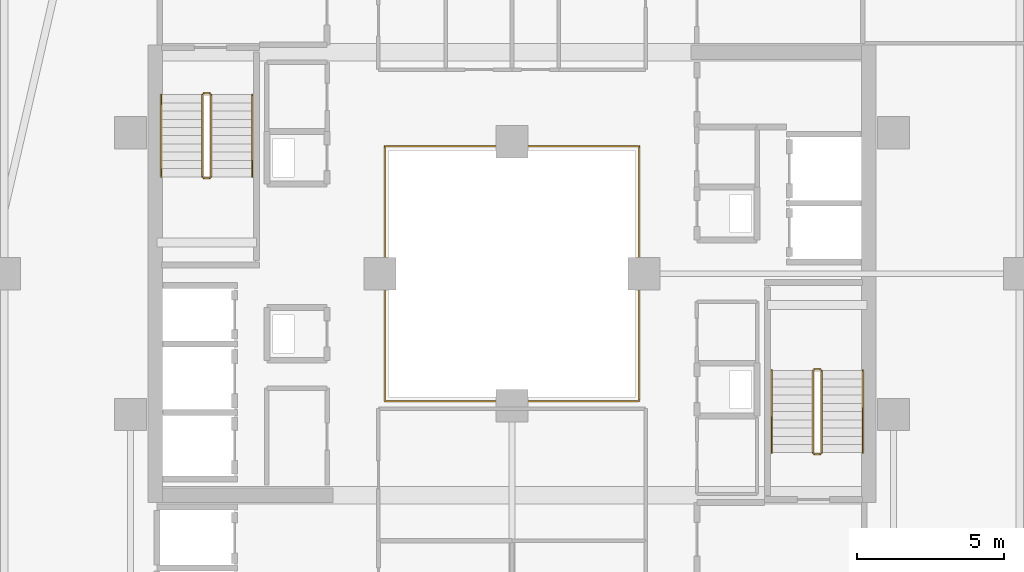
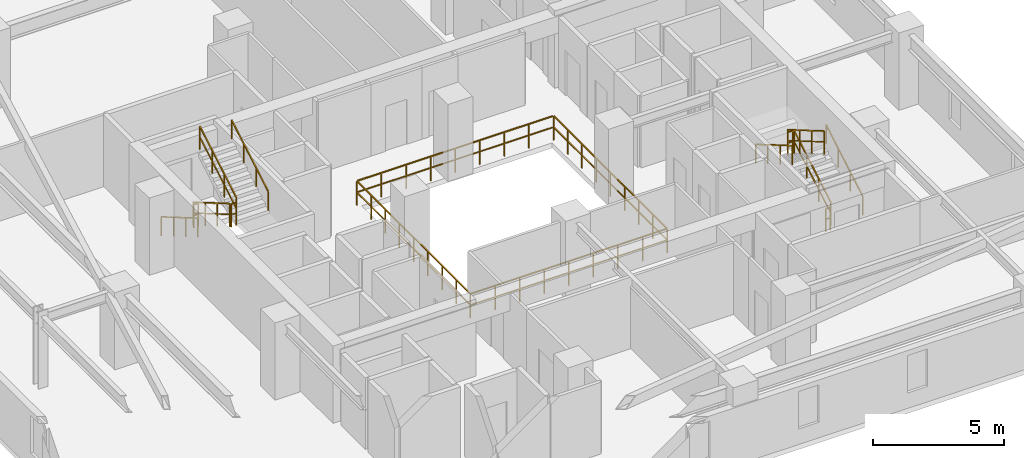
# One storey, part 32 of 33: 13 railings.
"""IFC4 building model written with IfcOpenShell, lengths in metres."""

from ifc_helpers import new_model, si_unit, direction, frame, origin, origin_2d, place, context, subcontext, project, spatial, rectangle, extrude, material, type_object, element, save


model = new_model("IFC4")

# Units and contexts
model_context = context("Model", 3, precision=1e-05, world=origin(), true_north=direction((0.0, 1.0)))
body_context = subcontext(model_context, "Body", "Model", "MODEL_VIEW")
ifc_project = project(units=[si_unit("LENGTHUNIT", "METRE"), si_unit("AREAUNIT", "SQUARE_METRE"), si_unit("VOLUMEUNIT", "CUBIC_METRE"), si_unit("PLANEANGLEUNIT", "RADIAN"), si_unit("MASSUNIT", "GRAM", prefix="KILO")], contexts=[model_context])

# Site, building, storey
site_placement = place(None, origin())
site = spatial("IfcSite", under=ifc_project, at=site_placement, CompositionType="ELEMENT")
building_placement = place(site_placement, origin())
building = spatial("IfcBuilding", under=site, at=building_placement, Name="Thornwick Lancets Civic Towers", CompositionType="ELEMENT")
storey_placement = place(building_placement, frame((0.0, 0.0, 189.300048828125)))
storey = spatial("IfcBuildingStorey", under=building, at=storey_placement, Name="L50", CompositionType="ELEMENT", Elevation=189.300048828125)

# Railings
ifc_material_1 = material(Name="Laminated glass and bronze steel S355", Category="steel")
railing_type_1 = type_object("IfcRailingType", Name="RAIL_ATRIUM_GUARD", PredefinedType="BALUSTRADE", material=ifc_material_1)
railing_1_placement = place(storey_placement, frame((84.159912109375, 22.659912109375, 0.0)))
element("IfcRailing", 1, at=railing_1_placement, inside=storey, type_object=railing_type_1, Name="L50 Tower B Central Atrium Guard Balustrade", PredefinedType="BALUSTRADE", context=body_context, shape_type="SweptSolid", body=[
    extrude(rectangle(XDim=0.048095703125, YDim=0.048095703125, at=origin_2d()), frame((0.0, 0.0, 1.1259765625), z_axis=(1.0, 0.0, 0.0), x_axis=(0.0, 1.0, 0.0)), (0.0, 0.0, 1.0), 8.64892578125),
    extrude(rectangle(XDim=0.0419921875, YDim=0.0419921875, at=origin_2d()), frame((0.03759765625, 0.0, 0.597900390625), z_axis=(1.0, 0.0, 0.0), x_axis=(0.0, 1.0, 0.0)), (0.0, 0.0, 1.0), 1.010009765625),
    extrude(rectangle(XDim=0.0419921875, YDim=0.0419921875, at=origin_2d()), frame((1.12255859375, 0.0, 0.597900390625), z_axis=(1.0, 0.0, 0.0), x_axis=(0.0, 1.0, 0.0)), (0.0, 0.0, 1.0), 1.010009765625),
    extrude(rectangle(XDim=0.0419921875, YDim=0.0419921875, at=origin_2d()), frame((2.20751953125, 0.0, 0.597900390625), z_axis=(1.0, 0.0, 0.0), x_axis=(0.0, 1.0, 0.0)), (0.0, 0.0, 1.0), 1.010009765625),
    extrude(rectangle(XDim=0.0419921875, YDim=0.0419921875, at=origin_2d()), frame((3.29248046875, 0.0, 0.597900390625), z_axis=(1.0, 0.0, 0.0), x_axis=(0.0, 1.0, 0.0)), (0.0, 0.0, 1.0), 1.010009765625),
    extrude(rectangle(XDim=0.0419921875, YDim=0.0419921875, at=origin_2d()), frame((4.377685546875, 0.0, 0.597900390625), z_axis=(1.0, 0.0, 0.0), x_axis=(0.0, 1.0, 0.0)), (0.0, 0.0, 1.0), 1.010009765625),
    extrude(rectangle(XDim=0.0419921875, YDim=0.0419921875, at=origin_2d()), frame((5.462646484375, 0.0, 0.597900390625), z_axis=(1.0, 0.0, 0.0), x_axis=(0.0, 1.0, 0.0)), (0.0, 0.0, 1.0), 1.010009765625),
    extrude(rectangle(XDim=0.0419921875, YDim=0.0419921875, at=origin_2d()), frame((6.547607421875, 0.0, 0.597900390625), z_axis=(1.0, 0.0, 0.0), x_axis=(0.0, 1.0, 0.0)), (0.0, 0.0, 1.0), 1.010009765625),
    extrude(rectangle(XDim=0.0419921875, YDim=0.0419921875, at=origin_2d()), frame((7.632568359375, 0.0, 0.597900390625), z_axis=(1.0, 0.0, 0.0), x_axis=(0.0, 1.0, 0.0)), (0.0, 0.0, 1.0), 1.010009765625),
    extrude(rectangle(XDim=0.048095703125, YDim=0.048095703125, at=origin_2d()), frame((8.68017578125, 0.03125, 1.1259765625), z_axis=(0.0, 1.0, 0.0), x_axis=(-1.0, 0.0, 0.0)), (0.0, 0.0, 1.0), 8.61767578125),
    extrude(rectangle(XDim=0.0419921875, YDim=0.0419921875, at=origin_2d()), frame((8.68017578125, 0.03759765625, 0.597900390625), z_axis=(0.0, 1.0, 0.0), x_axis=(-1.0, 0.0, 0.0)), (0.0, 0.0, 1.0), 1.010009765625),
    extrude(rectangle(XDim=0.0419921875, YDim=0.0419921875, at=origin_2d()), frame((8.68017578125, 1.12255859375, 0.597900390625), z_axis=(0.0, 1.0, 0.0), x_axis=(-1.0, 0.0, 0.0)), (0.0, 0.0, 1.0), 1.010009765625),
    extrude(rectangle(XDim=0.0419921875, YDim=0.0419921875, at=origin_2d()), frame((8.68017578125, 2.20751953125, 0.597900390625), z_axis=(0.0, 1.0, 0.0), x_axis=(-1.0, 0.0, 0.0)), (0.0, 0.0, 1.0), 1.010009765625),
    extrude(rectangle(XDim=0.0419921875, YDim=0.0419921875, at=origin_2d()), frame((8.68017578125, 3.29248046875, 0.597900390625), z_axis=(0.0, 1.0, 0.0), x_axis=(-1.0, 0.0, 0.0)), (0.0, 0.0, 1.0), 1.010009765625),
    extrude(rectangle(XDim=0.0419921875, YDim=0.0419921875, at=origin_2d()), frame((8.68017578125, 4.377685546875, 0.597900390625), z_axis=(0.0, 1.0, 0.0), x_axis=(-1.0, 0.0, 0.0)), (0.0, 0.0, 1.0), 1.010009765625),
    extrude(rectangle(XDim=0.0419921875, YDim=0.0419921875, at=origin_2d()), frame((8.68017578125, 5.462646484375, 0.597900390625), z_axis=(0.0, 1.0, 0.0), x_axis=(-1.0, 0.0, 0.0)), (0.0, 0.0, 1.0), 1.010009765625),
    extrude(rectangle(XDim=0.0419921875, YDim=0.0419921875, at=origin_2d()), frame((8.68017578125, 6.547607421875, 0.597900390625), z_axis=(0.0, 1.0, 0.0), x_axis=(-1.0, 0.0, 0.0)), (0.0, 0.0, 1.0), 1.010009765625),
    extrude(rectangle(XDim=0.0419921875, YDim=0.0419921875, at=origin_2d()), frame((8.68017578125, 7.632568359375, 0.597900390625), z_axis=(0.0, 1.0, 0.0), x_axis=(-1.0, 0.0, 0.0)), (0.0, 0.0, 1.0), 1.010009765625),
    extrude(rectangle(XDim=0.048095703125, YDim=0.048095703125, at=origin_2d()), frame((8.64892578125, 8.68017578125, 1.1259765625), z_axis=(-1.0, 0.0, 0.0), x_axis=(0.0, -1.0, 0.0)), (0.0, 0.0, 1.0), 8.61767578125),
    extrude(rectangle(XDim=0.0419921875, YDim=0.0419921875, at=origin_2d()), frame((8.642578125, 8.68017578125, 0.597900390625), z_axis=(-1.0, 0.0, 0.0), x_axis=(0.0, -1.0, 0.0)), (0.0, 0.0, 1.0), 1.010009765625),
    extrude(rectangle(XDim=0.0419921875, YDim=0.0419921875, at=origin_2d()), frame((7.5576171875, 8.68017578125, 0.597900390625), z_axis=(-1.0, 0.0, 0.0), x_axis=(0.0, -1.0, 0.0)), (0.0, 0.0, 1.0), 1.010009765625),
    extrude(rectangle(XDim=0.0419921875, YDim=0.0419921875, at=origin_2d()), frame((6.47265625, 8.68017578125, 0.597900390625), z_axis=(-1.0, 0.0, 0.0), x_axis=(0.0, -1.0, 0.0)), (0.0, 0.0, 1.0), 1.010009765625),
    extrude(rectangle(XDim=0.0419921875, YDim=0.0419921875, at=origin_2d()), frame((5.3876953125, 8.68017578125, 0.597900390625), z_axis=(-1.0, 0.0, 0.0), x_axis=(0.0, -1.0, 0.0)), (0.0, 0.0, 1.0), 1.010009765625),
    extrude(rectangle(XDim=0.0419921875, YDim=0.0419921875, at=origin_2d()), frame((4.302490234375, 8.68017578125, 0.597900390625), z_axis=(-1.0, 0.0, 0.0), x_axis=(0.0, -1.0, 0.0)), (0.0, 0.0, 1.0), 1.010009765625),
    extrude(rectangle(XDim=0.0419921875, YDim=0.0419921875, at=origin_2d()), frame((3.217529296875, 8.68017578125, 0.597900390625), z_axis=(-1.0, 0.0, 0.0), x_axis=(0.0, -1.0, 0.0)), (0.0, 0.0, 1.0), 1.010009765625),
    extrude(rectangle(XDim=0.0419921875, YDim=0.0419921875, at=origin_2d()), frame((2.132568359375, 8.68017578125, 0.597900390625), z_axis=(-1.0, 0.0, 0.0), x_axis=(0.0, -1.0, 0.0)), (0.0, 0.0, 1.0), 1.010009765625),
    extrude(rectangle(XDim=0.0419921875, YDim=0.0419921875, at=origin_2d()), frame((1.047607421875, 8.68017578125, 0.597900390625), z_axis=(-1.0, 0.0, 0.0), x_axis=(0.0, -1.0, 0.0)), (0.0, 0.0, 1.0), 1.010009765625),
    extrude(rectangle(XDim=0.048095703125, YDim=0.048095703125, at=origin_2d()), frame((0.0, 8.64892578125, 1.1259765625), z_axis=(0.0, -1.0, 0.0), x_axis=(1.0, 0.0, 0.0)), (0.0, 0.0, 1.0), 8.64892578125),
    extrude(rectangle(XDim=0.0419921875, YDim=0.0419921875, at=origin_2d()), frame((0.0, 8.642578125, 0.597900390625), z_axis=(0.0, -1.0, 0.0), x_axis=(1.0, 0.0, 0.0)), (0.0, 0.0, 1.0), 1.010009765625),
    extrude(rectangle(XDim=0.0419921875, YDim=0.0419921875, at=origin_2d()), frame((0.0, 7.5576171875, 0.597900390625), z_axis=(0.0, -1.0, 0.0), x_axis=(1.0, 0.0, 0.0)), (0.0, 0.0, 1.0), 1.010009765625),
    extrude(rectangle(XDim=0.0419921875, YDim=0.0419921875, at=origin_2d()), frame((0.0, 6.47265625, 0.597900390625), z_axis=(0.0, -1.0, 0.0), x_axis=(1.0, 0.0, 0.0)), (0.0, 0.0, 1.0), 1.010009765625),
    extrude(rectangle(XDim=0.0419921875, YDim=0.0419921875, at=origin_2d()), frame((0.0, 5.3876953125, 0.597900390625), z_axis=(0.0, -1.0, 0.0), x_axis=(1.0, 0.0, 0.0)), (0.0, 0.0, 1.0), 1.010009765625),
    extrude(rectangle(XDim=0.0419921875, YDim=0.0419921875, at=origin_2d()), frame((0.0, 4.302490234375, 0.597900390625), z_axis=(0.0, -1.0, 0.0), x_axis=(1.0, 0.0, 0.0)), (0.0, 0.0, 1.0), 1.010009765625),
    extrude(rectangle(XDim=0.0419921875, YDim=0.0419921875, at=origin_2d()), frame((0.0, 3.217529296875, 0.597900390625), z_axis=(0.0, -1.0, 0.0), x_axis=(1.0, 0.0, 0.0)), (0.0, 0.0, 1.0), 1.010009765625),
    extrude(rectangle(XDim=0.0419921875, YDim=0.0419921875, at=origin_2d()), frame((0.0, 2.132568359375, 0.597900390625), z_axis=(0.0, -1.0, 0.0), x_axis=(1.0, 0.0, 0.0)), (0.0, 0.0, 1.0), 1.010009765625),
    extrude(rectangle(XDim=0.0419921875, YDim=0.0419921875, at=origin_2d()), frame((0.0, 1.047607421875, 0.597900390625), z_axis=(0.0, -1.0, 0.0), x_axis=(1.0, 0.0, 0.0)), (0.0, 0.0, 1.0), 1.010009765625),
    extrude(rectangle(XDim=0.0419921875, YDim=0.0419921875, at=origin_2d()), origin(), (0.0, 0.0, 1.0), 1.095703125),
    extrude(rectangle(XDim=0.0419921875, YDim=0.0419921875, at=origin_2d()), frame((1.0849609375, 0.0, 0.0)), (0.0, 0.0, 1.0), 1.095703125),
    extrude(rectangle(XDim=0.0419921875, YDim=0.0419921875, at=origin_2d()), frame((2.169921875, 0.0, 0.0)), (0.0, 0.0, 1.0), 1.095703125),
    extrude(rectangle(XDim=0.0419921875, YDim=0.0419921875, at=origin_2d()), frame((3.255126953125, 0.0, 0.0)), (0.0, 0.0, 1.0), 1.095703125),
    extrude(rectangle(XDim=0.0419921875, YDim=0.0419921875, at=origin_2d()), frame((4.340087890625, 0.0, 0.0)), (0.0, 0.0, 1.0), 1.095703125),
    extrude(rectangle(XDim=0.0419921875, YDim=0.0419921875, at=origin_2d()), frame((5.425048828125, 0.0, 0.0)), (0.0, 0.0, 1.0), 1.095703125),
    extrude(rectangle(XDim=0.0419921875, YDim=0.0419921875, at=origin_2d()), frame((6.51025390625, 0.0, 0.0)), (0.0, 0.0, 1.0), 1.095703125),
    extrude(rectangle(XDim=0.0419921875, YDim=0.0419921875, at=origin_2d()), frame((7.59521484375, 0.0, 0.0)), (0.0, 0.0, 1.0), 1.095703125),
    extrude(rectangle(XDim=0.0419921875, YDim=0.0419921875, at=origin_2d()), frame((8.68017578125, 0.0, 0.0)), (0.0, 0.0, 1.0), 1.095703125),
    extrude(rectangle(XDim=0.0419921875, YDim=0.0419921875, at=origin_2d()), frame((8.68017578125, 1.0849609375, 0.0)), (0.0, 0.0, 1.0), 1.095703125),
    extrude(rectangle(XDim=0.0419921875, YDim=0.0419921875, at=origin_2d()), frame((8.68017578125, 2.169921875, 0.0)), (0.0, 0.0, 1.0), 1.095703125),
    extrude(rectangle(XDim=0.0419921875, YDim=0.0419921875, at=origin_2d()), frame((8.68017578125, 3.255126953125, 0.0)), (0.0, 0.0, 1.0), 1.095703125),
    extrude(rectangle(XDim=0.0419921875, YDim=0.0419921875, at=origin_2d()), frame((8.68017578125, 4.340087890625, 0.0)), (0.0, 0.0, 1.0), 1.095703125),
    extrude(rectangle(XDim=0.0419921875, YDim=0.0419921875, at=origin_2d()), frame((8.68017578125, 5.425048828125, 0.0)), (0.0, 0.0, 1.0), 1.095703125),
    extrude(rectangle(XDim=0.0419921875, YDim=0.0419921875, at=origin_2d()), frame((8.68017578125, 6.51025390625, 0.0)), (0.0, 0.0, 1.0), 1.095703125),
    extrude(rectangle(XDim=0.0419921875, YDim=0.0419921875, at=origin_2d()), frame((8.68017578125, 7.59521484375, 0.0)), (0.0, 0.0, 1.0), 1.095703125),
    extrude(rectangle(XDim=0.0419921875, YDim=0.0419921875, at=origin_2d()), frame((8.68017578125, 8.68017578125, 0.0)), (0.0, 0.0, 1.0), 1.095703125),
    extrude(rectangle(XDim=0.0419921875, YDim=0.0419921875, at=origin_2d()), frame((7.59521484375, 8.68017578125, 0.0)), (0.0, 0.0, 1.0), 1.095703125),
    extrude(rectangle(XDim=0.0419921875, YDim=0.0419921875, at=origin_2d()), frame((6.51025390625, 8.68017578125, 0.0)), (0.0, 0.0, 1.0), 1.095703125),
    extrude(rectangle(XDim=0.0419921875, YDim=0.0419921875, at=origin_2d()), frame((5.425048828125, 8.68017578125, 0.0)), (0.0, 0.0, 1.0), 1.095703125),
    extrude(rectangle(XDim=0.0419921875, YDim=0.0419921875, at=origin_2d()), frame((4.340087890625, 8.68017578125, 0.0)), (0.0, 0.0, 1.0), 1.095703125),
    extrude(rectangle(XDim=0.0419921875, YDim=0.0419921875, at=origin_2d()), frame((3.255126953125, 8.68017578125, 0.0)), (0.0, 0.0, 1.0), 1.095703125),
    extrude(rectangle(XDim=0.0419921875, YDim=0.0419921875, at=origin_2d()), frame((2.169921875, 8.68017578125, 0.0)), (0.0, 0.0, 1.0), 1.095703125),
    extrude(rectangle(XDim=0.0419921875, YDim=0.0419921875, at=origin_2d()), frame((1.0849609375, 8.68017578125, 0.0)), (0.0, 0.0, 1.0), 1.095703125),
    extrude(rectangle(XDim=0.0419921875, YDim=0.0419921875, at=origin_2d()), frame((0.0, 8.68017578125, 0.0)), (0.0, 0.0, 1.0), 1.095703125),
    extrude(rectangle(XDim=0.0419921875, YDim=0.0419921875, at=origin_2d()), frame((0.0, 7.59521484375, 0.0)), (0.0, 0.0, 1.0), 1.095703125),
    extrude(rectangle(XDim=0.0419921875, YDim=0.0419921875, at=origin_2d()), frame((0.0, 6.51025390625, 0.0)), (0.0, 0.0, 1.0), 1.095703125),
    extrude(rectangle(XDim=0.0419921875, YDim=0.0419921875, at=origin_2d()), frame((0.0, 5.425048828125, 0.0)), (0.0, 0.0, 1.0), 1.095703125),
    extrude(rectangle(XDim=0.0419921875, YDim=0.0419921875, at=origin_2d()), frame((0.0, 4.340087890625, 0.0)), (0.0, 0.0, 1.0), 1.095703125),
    extrude(rectangle(XDim=0.0419921875, YDim=0.0419921875, at=origin_2d()), frame((0.0, 3.255126953125, 0.0)), (0.0, 0.0, 1.0), 1.095703125),
    extrude(rectangle(XDim=0.0419921875, YDim=0.0419921875, at=origin_2d()), frame((0.0, 2.169921875, 0.0)), (0.0, 0.0, 1.0), 1.095703125),
    extrude(rectangle(XDim=0.0419921875, YDim=0.0419921875, at=origin_2d()), frame((0.0, 1.0849609375, 0.0)), (0.0, 0.0, 1.0), 1.095703125),
])
ifc_material_2 = material(Name="Brushed stainless steel S355", Category="steel")
railing_type_2 = type_object("IfcRailingType", Name="RAIL_HANDRAIL", PredefinedType="HANDRAIL", material=ifc_material_2)
railing_2_placement = place(storey_placement, frame((100.449951171875, 20.89990234375, 0.16357421875)))
element("IfcRailing", 2, at=railing_2_placement, inside=storey, type_object=railing_type_2, Name="L50 ST-B1 stair handrail 1", PredefinedType="HANDRAIL", context=body_context, shape_type="SweptSolid", body=[
    extrude(rectangle(XDim=0.048095703125, YDim=0.048095703125, at=origin_2d()), frame((0.0, 0.0, 0.8857421875), z_axis=(0.0, 0.863360870873, 0.504586966384), x_axis=(-1.0, 0.0, 0.0)), (0.0, 0.0, 1.0), 3.2431640625),
    extrude(rectangle(XDim=0.0419921875, YDim=0.0419921875, at=origin_2d()), origin(), (0.0, 0.0, 1.0), 0.855712890625),
    extrude(rectangle(XDim=0.0419921875, YDim=0.0419921875, at=origin_2d()), frame((0.0, 0.933349609375, 0.54541015625)), (0.0, 0.0, 1.0), 0.855712890625),
    extrude(rectangle(XDim=0.0419921875, YDim=0.0419921875, at=origin_2d()), frame((0.0, 1.86669921875, 1.091064453125)), (0.0, 0.0, 1.0), 0.855712890625),
    extrude(rectangle(XDim=0.0419921875, YDim=0.0419921875, at=origin_2d()), frame((0.0, 2.800048828125, 1.636474609375)), (0.0, 0.0, 1.0), 0.855712890625),
])
railing_3_placement = place(storey_placement, frame((97.35009765625, 23.699951171875, 1.963623046875)))
element("IfcRailing", 3, at=railing_3_placement, inside=storey, type_object=railing_type_2, Name="L50 ST-B1 stair handrail 2", PredefinedType="HANDRAIL", context=body_context, shape_type="SweptSolid", body=[
    extrude(rectangle(XDim=0.048095703125, YDim=0.048095703125, at=origin_2d()), frame((0.0, 0.0, 0.8857421875), z_axis=(0.0, -0.863393664356, 0.504530851732), x_axis=(1.0, 0.0, 0.0)), (0.0, 0.0, 1.0), 3.2431640625),
    extrude(rectangle(XDim=0.0419921875, YDim=0.0419921875, at=origin_2d()), origin(), (0.0, 0.0, 1.0), 0.855712890625),
    extrude(rectangle(XDim=0.0419921875, YDim=0.0419921875, at=origin_2d()), frame((0.0, -0.933349609375, 0.54541015625)), (0.0, 0.0, 1.0), 0.855712890625),
    extrude(rectangle(XDim=0.0419921875, YDim=0.0419921875, at=origin_2d()), frame((0.0, -1.86669921875, 1.0908203125)), (0.0, 0.0, 1.0), 0.855712890625),
    extrude(rectangle(XDim=0.0419921875, YDim=0.0419921875, at=origin_2d()), frame((0.0, -2.800048828125, 1.63623046875)), (0.0, 0.0, 1.0), 0.855712890625),
])
railing_4_placement = place(storey_placement, frame((76.550048828125, 33.10009765625, 0.16357421875)))
element("IfcRailing", 4, at=railing_4_placement, inside=storey, type_object=railing_type_2, Name="L50 ST-B2 stair handrail 1", PredefinedType="HANDRAIL", context=body_context, shape_type="SweptSolid", body=[
    extrude(rectangle(XDim=0.048095703125, YDim=0.048095703125, at=origin_2d()), frame((0.0, 0.0, 0.8857421875), z_axis=(0.0, -0.863360870873, 0.504586966384), x_axis=(1.0, 0.0, 0.0)), (0.0, 0.0, 1.0), 3.2431640625),
    extrude(rectangle(XDim=0.0419921875, YDim=0.0419921875, at=origin_2d()), origin(), (0.0, 0.0, 1.0), 0.855712890625),
    extrude(rectangle(XDim=0.0419921875, YDim=0.0419921875, at=origin_2d()), frame((0.0, -0.933349609375, 0.54541015625)), (0.0, 0.0, 1.0), 0.855712890625),
    extrude(rectangle(XDim=0.0419921875, YDim=0.0419921875, at=origin_2d()), frame((0.0, -1.86669921875, 1.091064453125)), (0.0, 0.0, 1.0), 0.855712890625),
    extrude(rectangle(XDim=0.0419921875, YDim=0.0419921875, at=origin_2d()), frame((0.0, -2.800048828125, 1.636474609375)), (0.0, 0.0, 1.0), 0.855712890625),
])
railing_5_placement = place(storey_placement, frame((79.64990234375, 30.300048828125, 1.963623046875)))
element("IfcRailing", 5, at=railing_5_placement, inside=storey, type_object=railing_type_2, Name="L50 ST-B2 stair handrail 2", PredefinedType="HANDRAIL", context=body_context, shape_type="SweptSolid", body=[
    extrude(rectangle(XDim=0.048095703125, YDim=0.048095703125, at=origin_2d()), frame((0.0, 0.0, 0.8857421875), z_axis=(0.0, 0.863393664356, 0.504530851732), x_axis=(-1.0, 0.0, 0.0)), (0.0, 0.0, 1.0), 3.2431640625),
    extrude(rectangle(XDim=0.0419921875, YDim=0.0419921875, at=origin_2d()), origin(), (0.0, 0.0, 1.0), 0.855712890625),
    extrude(rectangle(XDim=0.0419921875, YDim=0.0419921875, at=origin_2d()), frame((0.0, 0.933349609375, 0.54541015625)), (0.0, 0.0, 1.0), 0.855712890625),
    extrude(rectangle(XDim=0.0419921875, YDim=0.0419921875, at=origin_2d()), frame((0.0, 1.86669921875, 1.0908203125)), (0.0, 0.0, 1.0), 0.855712890625),
    extrude(rectangle(XDim=0.0419921875, YDim=0.0419921875, at=origin_2d()), frame((0.0, 2.800048828125, 1.63623046875)), (0.0, 0.0, 1.0), 0.855712890625),
])
ifc_material_3 = material(Name="Steel S355JR", Category="steel")
railing_type_3 = type_object("IfcRailingType", Name="RAIL_STAIR_GUARD", PredefinedType="GUARDRAIL", material=ifc_material_3)
railing_6_placement = place(storey_placement, frame((99.050048828125, 20.89990234375, 0.16357421875)))
element("IfcRailing", 6, at=railing_6_placement, inside=storey, type_object=railing_type_3, Name="L50 ST-B1 stair guard 1", PredefinedType="GUARDRAIL", context=body_context, shape_type="SweptSolid", body=[
    extrude(rectangle(XDim=0.048095703125, YDim=0.048095703125, at=origin_2d()), frame((0.0, 0.0, 1.076171875), z_axis=(0.0, 0.863360870873, 0.504586966384), x_axis=(-1.0, 0.0, 0.0)), (0.0, 0.0, 1.0), 3.2431640625),
    extrude(rectangle(XDim=0.0419921875, YDim=0.0419921875, at=origin_2d()), frame((0.0, 0.032470703125, 0.591064453125), z_axis=(0.0, 0.863360870873, 0.504586966384), x_axis=(-1.0, 0.0, 0.0)), (0.0, 0.0, 1.0), 1.006103515625),
    extrude(rectangle(XDim=0.0419921875, YDim=0.0419921875, at=origin_2d()), frame((0.0, 0.9658203125, 1.136474609375), z_axis=(0.0, 0.863360870873, 0.504586966384), x_axis=(-1.0, 0.0, 0.0)), (0.0, 0.0, 1.0), 1.006103515625),
    extrude(rectangle(XDim=0.0419921875, YDim=0.0419921875, at=origin_2d()), frame((0.0, 1.899169921875, 1.681884765625), z_axis=(0.0, 0.863360870873, 0.504586966384), x_axis=(-1.0, 0.0, 0.0)), (0.0, 0.0, 1.0), 1.006103515625),
    extrude(rectangle(XDim=0.0419921875, YDim=0.0419921875, at=origin_2d()), origin(), (0.0, 0.0, 1.0), 1.0458984375),
    extrude(rectangle(XDim=0.0419921875, YDim=0.0419921875, at=origin_2d()), frame((0.0, 0.933349609375, 0.54541015625)), (0.0, 0.0, 1.0), 1.0458984375),
    extrude(rectangle(XDim=0.0419921875, YDim=0.0419921875, at=origin_2d()), frame((0.0, 1.86669921875, 1.091064453125)), (0.0, 0.0, 1.0), 1.0458984375),
    extrude(rectangle(XDim=0.0419921875, YDim=0.0419921875, at=origin_2d()), frame((0.0, 2.800048828125, 1.636474609375)), (0.0, 0.0, 1.0), 1.0458984375),
])
railing_7_placement = place(storey_placement, frame((99.0, 23.75, 1.800048828125)))
element("IfcRailing", 7, at=railing_7_placement, inside=storey, type_object=railing_type_3, Name="L50 ST-B1 stair guard 2", PredefinedType="GUARDRAIL", context=body_context, shape_type="SweptSolid", body=[
    extrude(rectangle(XDim=0.048095703125, YDim=0.048095703125, at=origin_2d()), frame((0.0, 0.0, 1.076171875), z_axis=(-1.0, 0.0, 0.0), x_axis=(0.0, -1.0, 0.0)), (0.0, 0.0, 1.0), 0.199951171875),
    extrude(rectangle(XDim=0.0419921875, YDim=0.0419921875, at=origin_2d()), frame((-0.03759765625, 0.0, 0.572021484375), z_axis=(-1.0, 0.0, 0.0), x_axis=(0.0, -1.0, 0.0)), (0.0, 0.0, 1.0), 0.125),
    extrude(rectangle(XDim=0.0419921875, YDim=0.0419921875, at=origin_2d()), origin(), (0.0, 0.0, 1.0), 1.0458984375),
    extrude(rectangle(XDim=0.0419921875, YDim=0.0419921875, at=origin_2d()), frame((-0.199951171875, 0.0, 0.0)), (0.0, 0.0, 1.0), 1.0458984375),
])
railing_8_placement = place(storey_placement, frame((98.75, 23.699951171875, 1.963623046875)))
element("IfcRailing", 8, at=railing_8_placement, inside=storey, type_object=railing_type_3, Name="L50 ST-B1 stair guard 3", PredefinedType="GUARDRAIL", context=body_context, shape_type="SweptSolid", body=[
    extrude(rectangle(XDim=0.048095703125, YDim=0.048095703125, at=origin_2d()), frame((0.0, 0.0, 1.076171875), z_axis=(0.0, -0.863393664356, 0.504530851732), x_axis=(1.0, 0.0, 0.0)), (0.0, 0.0, 1.0), 3.2431640625),
    extrude(rectangle(XDim=0.0419921875, YDim=0.0419921875, at=origin_2d()), frame((0.0, -0.032470703125, 0.591064453125), z_axis=(0.0, -0.863393664356, 0.504530851732), x_axis=(1.0, 0.0, 0.0)), (0.0, 0.0, 1.0), 1.006103515625),
    extrude(rectangle(XDim=0.0419921875, YDim=0.0419921875, at=origin_2d()), frame((0.0, -0.9658203125, 1.136474609375), z_axis=(0.0, -0.863393664356, 0.504530851732), x_axis=(1.0, 0.0, 0.0)), (0.0, 0.0, 1.0), 1.006103515625),
    extrude(rectangle(XDim=0.0419921875, YDim=0.0419921875, at=origin_2d()), frame((0.0, -1.899169921875, 1.681884765625), z_axis=(0.0, -0.863393664356, 0.504530851732), x_axis=(1.0, 0.0, 0.0)), (0.0, 0.0, 1.0), 1.006103515625),
    extrude(rectangle(XDim=0.0419921875, YDim=0.0419921875, at=origin_2d()), origin(), (0.0, 0.0, 1.0), 1.0458984375),
    extrude(rectangle(XDim=0.0419921875, YDim=0.0419921875, at=origin_2d()), frame((0.0, -0.933349609375, 0.54541015625)), (0.0, 0.0, 1.0), 1.0458984375),
    extrude(rectangle(XDim=0.0419921875, YDim=0.0419921875, at=origin_2d()), frame((0.0, -1.86669921875, 1.0908203125)), (0.0, 0.0, 1.0), 1.0458984375),
    extrude(rectangle(XDim=0.0419921875, YDim=0.0419921875, at=origin_2d()), frame((0.0, -2.800048828125, 1.63623046875)), (0.0, 0.0, 1.0), 1.0458984375),
])
railing_9_placement = place(storey_placement, frame((99.0, 20.85009765625, 0.0)))
element("IfcRailing", 9, at=railing_9_placement, inside=storey, type_object=railing_type_3, Name="L50 ST-B1 stair guard 4", PredefinedType="GUARDRAIL", context=body_context, shape_type="SweptSolid", body=[
    extrude(rectangle(XDim=0.048095703125, YDim=0.048095703125, at=origin_2d()), frame((0.0, 0.0, 1.076171875), z_axis=(-1.0, 0.0, 0.0), x_axis=(0.0, -1.0, 0.0)), (0.0, 0.0, 1.0), 0.199951171875),
    extrude(rectangle(XDim=0.0419921875, YDim=0.0419921875, at=origin_2d()), frame((-0.03759765625, 0.0, 0.572021484375), z_axis=(-1.0, 0.0, 0.0), x_axis=(0.0, -1.0, 0.0)), (0.0, 0.0, 1.0), 0.125),
    extrude(rectangle(XDim=0.0419921875, YDim=0.0419921875, at=origin_2d()), origin(), (0.0, 0.0, 1.0), 1.0458984375),
    extrude(rectangle(XDim=0.0419921875, YDim=0.0419921875, at=origin_2d()), frame((-0.199951171875, 0.0, 0.0)), (0.0, 0.0, 1.0), 1.0458984375),
])
railing_10_placement = place(storey_placement, frame((77.949951171875, 33.10009765625, 0.16357421875)))
element("IfcRailing", 10, at=railing_10_placement, inside=storey, type_object=railing_type_3, Name="L50 ST-B2 stair guard 1", PredefinedType="GUARDRAIL", context=body_context, shape_type="SweptSolid", body=[
    extrude(rectangle(XDim=0.048095703125, YDim=0.048095703125, at=origin_2d()), frame((0.0, 0.0, 1.076171875), z_axis=(0.0, -0.863360870873, 0.504586966384), x_axis=(1.0, 0.0, 0.0)), (0.0, 0.0, 1.0), 3.2431640625),
    extrude(rectangle(XDim=0.0419921875, YDim=0.0419921875, at=origin_2d()), frame((0.0, -0.032470703125, 0.591064453125), z_axis=(0.0, -0.863360870873, 0.504586966384), x_axis=(1.0, 0.0, 0.0)), (0.0, 0.0, 1.0), 1.006103515625),
    extrude(rectangle(XDim=0.0419921875, YDim=0.0419921875, at=origin_2d()), frame((0.0, -0.9658203125, 1.136474609375), z_axis=(0.0, -0.863360870873, 0.504586966384), x_axis=(1.0, 0.0, 0.0)), (0.0, 0.0, 1.0), 1.006103515625),
    extrude(rectangle(XDim=0.0419921875, YDim=0.0419921875, at=origin_2d()), frame((0.0, -1.899169921875, 1.681884765625), z_axis=(0.0, -0.863360870873, 0.504586966384), x_axis=(1.0, 0.0, 0.0)), (0.0, 0.0, 1.0), 1.006103515625),
    extrude(rectangle(XDim=0.0419921875, YDim=0.0419921875, at=origin_2d()), origin(), (0.0, 0.0, 1.0), 1.0458984375),
    extrude(rectangle(XDim=0.0419921875, YDim=0.0419921875, at=origin_2d()), frame((0.0, -0.933349609375, 0.54541015625)), (0.0, 0.0, 1.0), 1.0458984375),
    extrude(rectangle(XDim=0.0419921875, YDim=0.0419921875, at=origin_2d()), frame((0.0, -1.86669921875, 1.091064453125)), (0.0, 0.0, 1.0), 1.0458984375),
    extrude(rectangle(XDim=0.0419921875, YDim=0.0419921875, at=origin_2d()), frame((0.0, -2.800048828125, 1.636474609375)), (0.0, 0.0, 1.0), 1.0458984375),
])
railing_11_placement = place(storey_placement, frame((78.0, 30.25, 1.800048828125)))
element("IfcRailing", 11, at=railing_11_placement, inside=storey, type_object=railing_type_3, Name="L50 ST-B2 stair guard 2", PredefinedType="GUARDRAIL", context=body_context, shape_type="SweptSolid", body=[
    extrude(rectangle(XDim=0.048095703125, YDim=0.048095703125, at=origin_2d()), frame((0.0, 0.0, 1.076171875), z_axis=(1.0, 0.0, 0.0), x_axis=(0.0, 1.0, 0.0)), (0.0, 0.0, 1.0), 0.199951171875),
    extrude(rectangle(XDim=0.0419921875, YDim=0.0419921875, at=origin_2d()), frame((0.03759765625, 0.0, 0.572021484375), z_axis=(1.0, 0.0, 0.0), x_axis=(0.0, 1.0, 0.0)), (0.0, 0.0, 1.0), 0.125),
    extrude(rectangle(XDim=0.0419921875, YDim=0.0419921875, at=origin_2d()), origin(), (0.0, 0.0, 1.0), 1.0458984375),
    extrude(rectangle(XDim=0.0419921875, YDim=0.0419921875, at=origin_2d()), frame((0.199951171875, 0.0, 0.0)), (0.0, 0.0, 1.0), 1.0458984375),
])
railing_12_placement = place(storey_placement, frame((78.25, 30.300048828125, 1.963623046875)))
element("IfcRailing", 12, at=railing_12_placement, inside=storey, type_object=railing_type_3, Name="L50 ST-B2 stair guard 3", PredefinedType="GUARDRAIL", context=body_context, shape_type="SweptSolid", body=[
    extrude(rectangle(XDim=0.048095703125, YDim=0.048095703125, at=origin_2d()), frame((0.0, 0.0, 1.076171875), z_axis=(0.0, 0.863393664356, 0.504530851732), x_axis=(-1.0, 0.0, 0.0)), (0.0, 0.0, 1.0), 3.2431640625),
    extrude(rectangle(XDim=0.0419921875, YDim=0.0419921875, at=origin_2d()), frame((0.0, 0.032470703125, 0.591064453125), z_axis=(0.0, 0.863393664356, 0.504530851732), x_axis=(-1.0, 0.0, 0.0)), (0.0, 0.0, 1.0), 1.006103515625),
    extrude(rectangle(XDim=0.0419921875, YDim=0.0419921875, at=origin_2d()), frame((0.0, 0.9658203125, 1.136474609375), z_axis=(0.0, 0.863393664356, 0.504530851732), x_axis=(-1.0, 0.0, 0.0)), (0.0, 0.0, 1.0), 1.006103515625),
    extrude(rectangle(XDim=0.0419921875, YDim=0.0419921875, at=origin_2d()), frame((0.0, 1.899169921875, 1.681884765625), z_axis=(0.0, 0.863393664356, 0.504530851732), x_axis=(-1.0, 0.0, 0.0)), (0.0, 0.0, 1.0), 1.006103515625),
    extrude(rectangle(XDim=0.0419921875, YDim=0.0419921875, at=origin_2d()), origin(), (0.0, 0.0, 1.0), 1.0458984375),
    extrude(rectangle(XDim=0.0419921875, YDim=0.0419921875, at=origin_2d()), frame((0.0, 0.933349609375, 0.54541015625)), (0.0, 0.0, 1.0), 1.0458984375),
    extrude(rectangle(XDim=0.0419921875, YDim=0.0419921875, at=origin_2d()), frame((0.0, 1.86669921875, 1.0908203125)), (0.0, 0.0, 1.0), 1.0458984375),
    extrude(rectangle(XDim=0.0419921875, YDim=0.0419921875, at=origin_2d()), frame((0.0, 2.800048828125, 1.63623046875)), (0.0, 0.0, 1.0), 1.0458984375),
])
railing_13_placement = place(storey_placement, frame((78.0, 33.14990234375, 0.0)))
element("IfcRailing", 13, at=railing_13_placement, inside=storey, type_object=railing_type_3, Name="L50 ST-B2 stair guard 4", PredefinedType="GUARDRAIL", context=body_context, shape_type="SweptSolid", body=[
    extrude(rectangle(XDim=0.048095703125, YDim=0.048095703125, at=origin_2d()), frame((0.0, 0.0, 1.076171875), z_axis=(1.0, 0.0, 0.0), x_axis=(0.0, 1.0, 0.0)), (0.0, 0.0, 1.0), 0.199951171875),
    extrude(rectangle(XDim=0.0419921875, YDim=0.0419921875, at=origin_2d()), frame((0.03759765625, 0.0, 0.572021484375), z_axis=(1.0, 0.0, 0.0), x_axis=(0.0, 1.0, 0.0)), (0.0, 0.0, 1.0), 0.125),
    extrude(rectangle(XDim=0.0419921875, YDim=0.0419921875, at=origin_2d()), origin(), (0.0, 0.0, 1.0), 1.0458984375),
    extrude(rectangle(XDim=0.0419921875, YDim=0.0419921875, at=origin_2d()), frame((0.199951171875, 0.0, 0.0)), (0.0, 0.0, 1.0), 1.0458984375),
])

save(model, "model.ifc")
